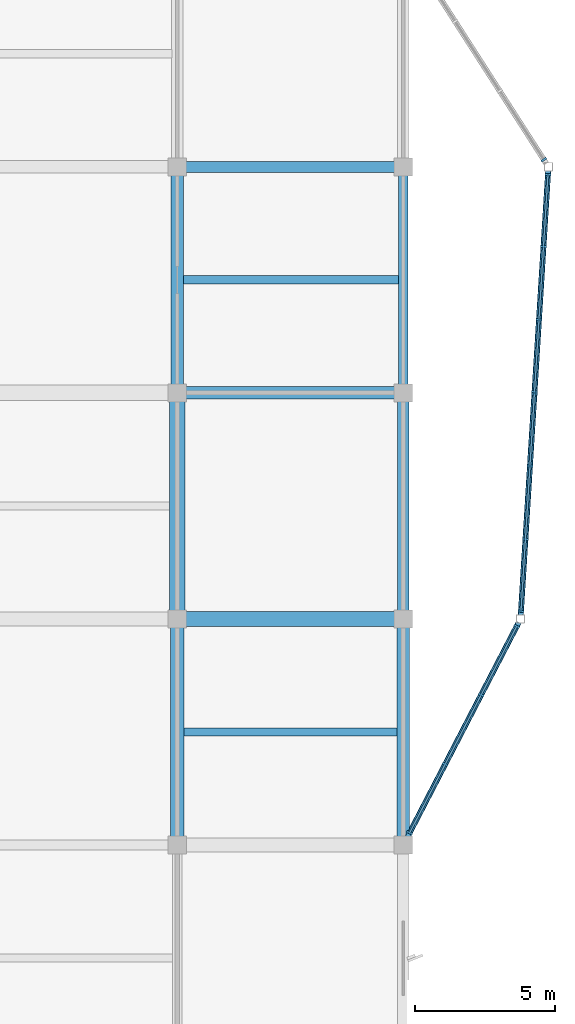
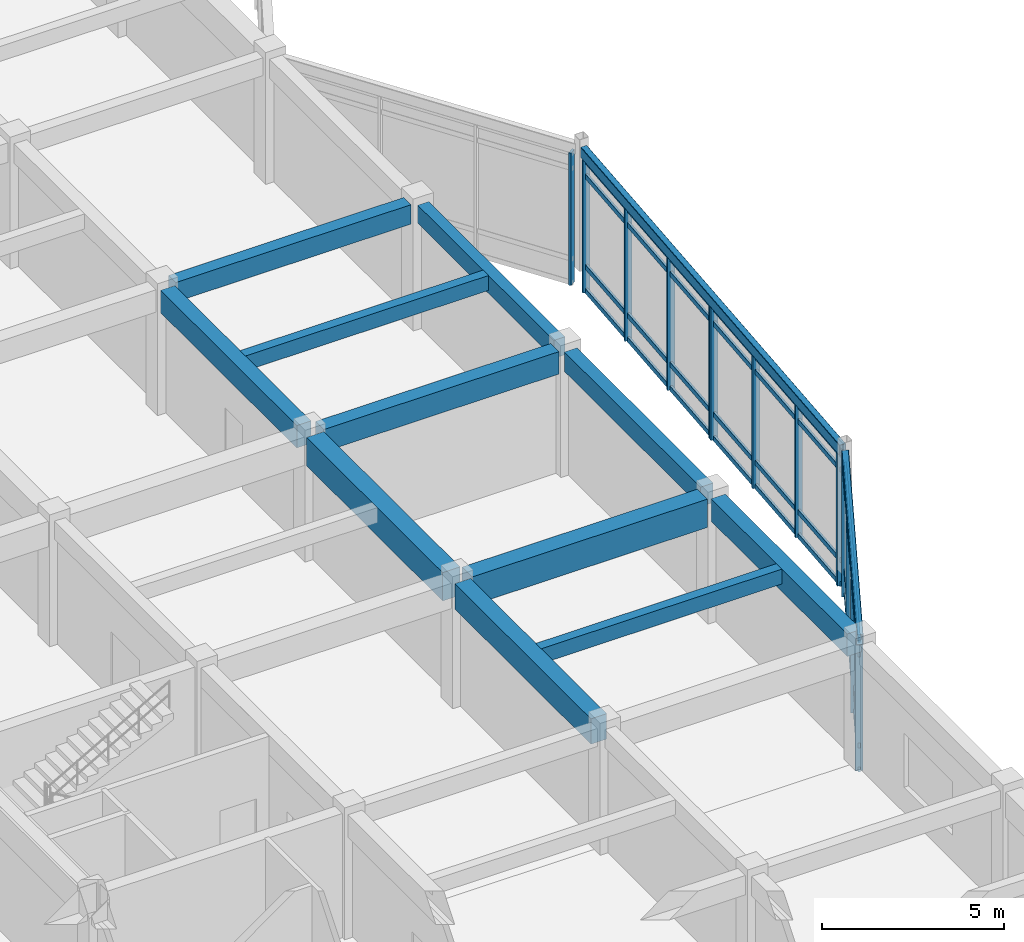
# One storey, part 17 of 42: 25 members, 13 beams, 4 elements without a shape of their own.
"""IFC4 building model written with IfcOpenShell, lengths in metres."""

from ifc_helpers import new_model, si_unit, direction, frame, origin, origin_2d, place, context, subcontext, project, spatial, rectangle, hollow_rectangle, extrude, material, layer, layer_set, material_profile, profile_set, type_object, element, aggregate, save


model = new_model("IFC4")

# Units and contexts
model_context = context("Model", 3, precision=1e-05, world=origin(), true_north=direction((0.0, 1.0)))
body_context = subcontext(model_context, "Body", "Model", "MODEL_VIEW")
ifc_project = project(units=[si_unit("LENGTHUNIT", "METRE"), si_unit("AREAUNIT", "SQUARE_METRE"), si_unit("VOLUMEUNIT", "CUBIC_METRE"), si_unit("PLANEANGLEUNIT", "RADIAN"), si_unit("MASSUNIT", "GRAM", prefix="KILO")], contexts=[model_context])

# Site, building, storey
site_placement = place(None, origin())
site = spatial("IfcSite", under=ifc_project, at=site_placement, CompositionType="ELEMENT")
building_placement = place(site_placement, origin())
building = spatial("IfcBuilding", under=site, at=building_placement, Name="Vaudrelin Polytechnic", CompositionType="ELEMENT")
storey_placement = place(building_placement, frame((0.0, 0.0, 18.530029296875)))
storey = spatial("IfcBuildingStorey", under=building, at=storey_placement, Name="L04", CompositionType="ELEMENT", Elevation=18.530029296875)

# Beams
ifc_material_1 = material(Name="Concrete 40 MPa", Category="concrete")
ifc_material_profile_1 = material_profile(ifc_material_1, rectangle(XDim=0.35009765625, YDim=0.60009765625, at=origin_2d()), Name="RC350x600")
ifc_profile_set_1 = profile_set([ifc_material_profile_1], Name="Concrete 40 MPa")
beam_type_1 = type_object("IfcBeamType", Name="BM-BM-RC3560", PredefinedType="BEAM", material=ifc_profile_set_1)
beam_1_placement = place(storey_placement, frame((170.10009765625, 81.31005859375, 3.85986328125), z_axis=(0.0, 1.0, 0.0), x_axis=(-1.0, 0.0, 0.0)))
element("IfcBeam", 1, at=beam_1_placement, inside=storey, type_object=beam_type_1, Name="L04 Y-beam 22-11", PredefinedType="BEAM", context=body_context, shape_type="SweptSolid", body=[
    extrude(rectangle(XDim=0.35009765625, YDim=0.60009765625, at=origin_2d()), origin(), (0.0, 0.0, 1.0), 7.47998046875),
])
ifc_material_profile_2 = material_profile(ifc_material_1, rectangle(XDim=0.39990234375, YDim=0.64990234375, at=origin_2d()), Name="RC400x650")
ifc_profile_set_2 = profile_set([ifc_material_profile_2], Name="Concrete 40 MPa")
beam_type_2 = type_object("IfcBeamType", Name="BM-BM-RC4065", PredefinedType="BEAM", material=ifc_profile_set_2)
beam_2_placement = place(storey_placement, frame((170.10009765625, 73.2099609375, 3.8349609375), z_axis=(0.0, 1.0, 0.0), x_axis=(-1.0, 0.0, 0.0)))
element("IfcBeam", 2, at=beam_2_placement, inside=storey, type_object=beam_type_2, Name="L04 Y-beam 22-10", PredefinedType="BEAM", context=body_context, shape_type="SweptSolid", body=[
    extrude(rectangle(XDim=0.39990234375, YDim=0.64990234375, at=origin_2d()), origin(), (0.0, 0.0, 1.0), 7.47998046875),
])
beam_3_placement = place(storey_placement, frame((162.321044921875, 89.10009765625, 3.8349609375), z_axis=(1.0, 0.0, 0.0), x_axis=(0.0, 1.0, 0.0)))
element("IfcBeam", 3, at=beam_3_placement, inside=storey, type_object=beam_type_2, Name="L04 X-beam 21-12", PredefinedType="BEAM", context=body_context, shape_type="SweptSolid", body=[
    extrude(rectangle(XDim=0.39990234375, YDim=0.64990234375, at=origin_2d()), origin(), (0.0, 0.0, 1.0), 7.4580078125),
])
ifc_material_profile_3 = material_profile(ifc_material_1, rectangle(XDim=0.449951171875, YDim=0.75, at=origin_2d()), Name="RC450x750")
ifc_profile_set_3 = profile_set([ifc_material_profile_3], Name="Concrete 40 MPa")
beam_type_3 = type_object("IfcBeamType", Name="BM-BM-RC4575", PredefinedType="BEAM", material=ifc_profile_set_3)
for number, where, z_axis, x_axis, name in (
    (4, (162.0, 81.31005859375, 3.784912109375), (0.0, 1.0, 0.0), (-1.0, 0.0, 0.0), "L04 Y-beam 21-11"),
    (5, (170.10009765625, 65.110107421875, 3.784912109375), (0.0, 1.0, 0.0), (-1.0, 0.0, 0.0), "L04 Y-beam 22-9"),
):
    element("IfcBeam", number, at=place(storey_placement, frame(where, z_axis=z_axis, x_axis=x_axis)), inside=storey, type_object=beam_type_3, Name=name, PredefinedType="BEAM", context=body_context, shape_type="SweptSolid", body=[
        extrude(rectangle(XDim=0.449951171875, YDim=0.75, at=origin_2d()), origin(), (0.0, 0.0, 1.0), 7.47998046875),
    ])
beam_4_placement = place(storey_placement, frame((162.321044921875, 81.0, 3.784912109375), z_axis=(1.0, 0.0, 0.0), x_axis=(0.0, 1.0, 0.0)))
element("IfcBeam", 6, at=beam_4_placement, inside=storey, type_object=beam_type_3, Name="L04 X-beam 21-11", PredefinedType="BEAM", context=body_context, shape_type="SweptSolid", body=[
    extrude(rectangle(XDim=0.449951171875, YDim=0.75, at=origin_2d()), origin(), (0.0, 0.0, 1.0), 7.4580078125),
])
ifc_material_profile_4 = material_profile(ifc_material_1, rectangle(XDim=0.5, YDim=0.85009765625, at=origin_2d()), Name="RC500x850")
ifc_profile_set_4 = profile_set([ifc_material_profile_4], Name="Concrete 40 MPa")
beam_type_4 = type_object("IfcBeamType", Name="BM-BM-RC5085", PredefinedType="BEAM", material=ifc_profile_set_4)
beam_5_placement = place(storey_placement, frame((162.0, 65.110107421875, 3.73486328125), z_axis=(0.0, 1.0, 0.0), x_axis=(-1.0, 0.0, 0.0)))
element("IfcBeam", 7, at=beam_5_placement, inside=storey, type_object=beam_type_4, Name="L04 Y-beam 21-9", PredefinedType="BEAM", context=body_context, shape_type="SweptSolid", body=[
    extrude(rectangle(XDim=0.5, YDim=0.85009765625, at=origin_2d()), origin(), (0.0, 0.0, 1.0), 7.47998046875),
])
ifc_material_2 = material(Name="Concrete 50 MPa", Category="concrete")
ifc_material_profile_5 = material_profile(ifc_material_2, rectangle(XDim=0.550048828125, YDim=0.949951171875, at=origin_2d()), Name="RC550x950")
ifc_profile_set_5 = profile_set([ifc_material_profile_5], Name="Concrete 50 MPa")
beam_type_5 = type_object("IfcBeamType", Name="BM-BM-RC5595", PredefinedType="BEAM", material=ifc_profile_set_5)
beam_6_placement = place(storey_placement, frame((162.0, 73.2099609375, 3.68505859375), z_axis=(0.0, 1.0, 0.0), x_axis=(-1.0, 0.0, 0.0)))
element("IfcBeam", 8, at=beam_6_placement, inside=storey, type_object=beam_type_5, Name="L04 Y-beam 21-10", PredefinedType="BEAM", context=body_context, shape_type="SweptSolid", body=[
    extrude(rectangle(XDim=0.550048828125, YDim=0.949951171875, at=origin_2d()), origin(), (0.0, 0.0, 1.0), 7.47998046875),
])
beam_7_placement = place(storey_placement, frame((162.321044921875, 72.89990234375, 3.68505859375), z_axis=(1.0, 0.0, 0.0), x_axis=(0.0, 1.0, 0.0)))
element("IfcBeam", 9, at=beam_7_placement, inside=storey, type_object=beam_type_5, Name="L04 X-beam 21-10", PredefinedType="BEAM", context=body_context, shape_type="SweptSolid", body=[
    extrude(rectangle(XDim=0.550048828125, YDim=0.949951171875, at=origin_2d()), origin(), (0.0, 0.0, 1.0), 7.4580078125),
])
ifc_material_profile_6 = material_profile(ifc_material_1, rectangle(XDim=0.300048828125, YDim=0.5, at=origin_2d()), Name="RC300x500")
ifc_profile_set_6 = profile_set([ifc_material_profile_6], Name="Concrete 40 MPa")
beam_type_6 = type_object("IfcBeamType", Name="BM-JS-RC3050", PredefinedType="JOIST", material=ifc_profile_set_6)
beam_8_placement = place(storey_placement, frame((162.24609375, 68.85009765625, 3.909912109375), z_axis=(1.0, 0.0, 0.0), x_axis=(0.0, 1.0, 0.0)))
element("IfcBeam", 10, at=beam_8_placement, inside=storey, type_object=beam_type_6, Name="L04 floor joist 21-9", PredefinedType="JOIST", context=body_context, shape_type="SweptSolid", body=[
    extrude(rectangle(XDim=0.300048828125, YDim=0.5, at=origin_2d()), origin(), (0.0, 0.0, 1.0), 7.6328125),
])
beam_9_placement = place(storey_placement, frame((162.220947265625, 85.050048828125, 3.909912109375), z_axis=(1.0, 0.0, 0.0), x_axis=(0.0, 1.0, 0.0)))
element("IfcBeam", 11, at=beam_9_placement, inside=storey, type_object=beam_type_6, Name="L04 floor joist 21-11", PredefinedType="JOIST", context=body_context, shape_type="SweptSolid", body=[
    extrude(rectangle(XDim=0.300048828125, YDim=0.5, at=origin_2d()), origin(), (0.0, 0.0, 1.0), 7.7080078125),
])
ifc_material_3 = material(Name="Steel CSA G40.21 350WT", Category="steel")
ifc_material_profile_7 = material_profile(ifc_material_3, hollow_rectangle(XDim=0.202880859375, YDim=0.35595703125, WallThickness=0.0126953125, InnerFilletRadius=0.0126953125, OuterFilletRadius=0.025390625, at=origin_2d()), Name="HSS356x203x12.7")
ifc_profile_set_7 = profile_set([ifc_material_profile_7], Name="Steel CSA G40.21 350WT")
beam_type_7 = type_object("IfcBeamType", Name="BM-SP-HSS35", PredefinedType="SPANDREL", material=ifc_profile_set_7)
beam_10_placement = place(storey_placement, frame((170.164306640625, 64.92431640625, 3.98193359375), z_axis=(0.460338114153, 0.887743668329, 0.0), x_axis=(-0.887743668329, 0.460338114153, 0.0)))
element("IfcBeam", 12, at=beam_10_placement, inside=storey, type_object=beam_type_7, Name="Sculptural edge beam L04 E_OR2_B1", PredefinedType="SPANDREL", context=body_context, shape_type="SweptSolid", body=[
    extrude(hollow_rectangle(XDim=0.202880859375, YDim=0.35595703125, WallThickness=0.0126953125, InnerFilletRadius=0.0126953125, OuterFilletRadius=0.025390625, at=origin_2d()), origin(), (0.0, 0.0, 1.0), 8.84423828125),
])
beam_11_placement = place(storey_placement, frame((174.30859375, 73.039794921875, 3.98193359375), z_axis=(0.061621667017, 0.998099579278, 0.0), x_axis=(-0.998099579278, 0.061621667017, 0.0)))
element("IfcBeam", 13, at=beam_11_placement, inside=storey, type_object=beam_type_7, Name="Sculptural edge beam L04 E_OR2_B2", PredefinedType="SPANDREL", context=body_context, shape_type="SweptSolid", body=[
    extrude(hollow_rectangle(XDim=0.202880859375, YDim=0.35595703125, WallThickness=0.0126953125, InnerFilletRadius=0.0126953125, OuterFilletRadius=0.025390625, at=origin_2d()), origin(), (0.0, 0.0, 1.0), 15.95068359375),
])

# Curtain wall, members
ifc_material_4 = material(Name="Thermally broken anodised aluminium AA 6063-T6 and low-e triple glazing", Category="aluminium")
ifc_layer = layer(ifc_material_4, 0.199951171875)
ifc_layer_set = layer_set([ifc_layer], Name="Thermally broken anodised aluminium AA 6063-T6 and low-e triple glazing")
curtain_wall_type = type_object("IfcCurtainWallType", Name="CW-CW-LAB", PredefinedType="USERDEFINED", material=ifc_layer_set)
curtain_wall_1_placement = place(storey_placement, origin())
curtain_wall_1 = element("IfcCurtainWall", 14, at=curtain_wall_1_placement, inside=storey, type_object=curtain_wall_type, Name="Curtain wall L04 E_OR2_1_0", ObjectType="CURTAIN WALL", PredefinedType="USERDEFINED")
ifc_material_5 = material(Name="Anodised aluminium AA 6063-T6", Category="aluminium")
ifc_material_profile_8 = material_profile(ifc_material_5, rectangle(XDim=0.074951171875, YDim=0.219970703125, at=origin_2d()), Name="CWM-75x220")
ifc_profile_set_8 = profile_set([ifc_material_profile_8], Name="Anodised aluminium AA 6063-T6")
member_type_1 = type_object("IfcMemberType", Name="MEM-CWM-220", PredefinedType="MULLION", material=ifc_profile_set_8)
member_1_placement = place(storey_placement, frame((170.325927734375, 65.236083984375, -0.630126953125), z_axis=(0.0, 0.0, 1.0), x_axis=(0.460325488129, 0.88775021542, 0.0)))
member_1 = element("IfcMember", 15, at=member_1_placement, type_object=member_type_1, Name="E_OR2_1_0 mullion 1", PredefinedType="MULLION", context=body_context, shape_type="SweptSolid", body=[
    extrude(rectangle(XDim=0.074951171875, YDim=0.219970703125, at=origin_2d()), origin(), (0.0, 0.0, 1.0), 4.440185546875),
])
member_2_placement = place(storey_placement, frame((171.59912109375, 67.69091796875, -0.630126953125), z_axis=(0.0, 0.0, 1.0), x_axis=(0.460325488129, 0.88775021542, 0.0)))
member_2 = element("IfcMember", 16, at=member_2_placement, type_object=member_type_1, Name="E_OR2_1_0 mullion 2", PredefinedType="MULLION", context=body_context, shape_type="SweptSolid", body=[
    extrude(rectangle(XDim=0.074951171875, YDim=0.219970703125, at=origin_2d()), origin(), (0.0, 0.0, 1.0), 4.440185546875),
])
member_3_placement = place(storey_placement, frame((172.890380859375, 70.181396484375, -0.630126953125), z_axis=(0.0, 0.0, 1.0), x_axis=(0.460325488129, 0.88775021542, 0.0)))
member_3 = element("IfcMember", 17, at=member_3_placement, type_object=member_type_1, Name="E_OR2_1_0 mullion 3", PredefinedType="MULLION", context=body_context, shape_type="SweptSolid", body=[
    extrude(rectangle(XDim=0.074951171875, YDim=0.219970703125, at=origin_2d()), origin(), (0.0, 0.0, 1.0), 4.440185546875),
])
member_4_placement = place(storey_placement, frame((174.163330078125, 72.636474609375, -0.630126953125), z_axis=(0.0, 0.0, 1.0), x_axis=(0.460325488129, 0.88775021542, 0.0)))
member_4 = element("IfcMember", 18, at=member_4_placement, type_object=member_type_1, Name="E_OR2_1_0 mullion 4", PredefinedType="MULLION", context=body_context, shape_type="SweptSolid", body=[
    extrude(rectangle(XDim=0.074951171875, YDim=0.219970703125, at=origin_2d()), origin(), (0.0, 0.0, 1.0), 4.440185546875),
])

curtain_wall_2_placement = place(storey_placement, origin())
curtain_wall_2 = element("IfcCurtainWall", 19, at=curtain_wall_2_placement, inside=storey, type_object=curtain_wall_type, Name="Curtain wall L04 E_OR2_2_0", ObjectType="CURTAIN WALL", PredefinedType="USERDEFINED")
member_5_placement = place(storey_placement, frame((174.317138671875, 73.17724609375, -0.630126953125), z_axis=(0.0, 0.0, 1.0), x_axis=(0.061604568165, 0.998100634797, 0.0)))
member_5 = element("IfcMember", 20, at=member_5_placement, type_object=member_type_1, Name="E_OR2_2_0 mullion 1", PredefinedType="MULLION", context=body_context, shape_type="SweptSolid", body=[
    extrude(rectangle(XDim=0.074951171875, YDim=0.219970703125, at=origin_2d()), origin(), (0.0, 0.0, 1.0), 4.440185546875),
])
member_6_placement = place(storey_placement, frame((174.4765625, 75.75830078125, -0.630126953125), z_axis=(0.0, 0.0, 1.0), x_axis=(0.061604568165, 0.998100634797, 0.0)))
member_6 = element("IfcMember", 21, at=member_6_placement, type_object=member_type_1, Name="E_OR2_2_0 mullion 2", PredefinedType="MULLION", context=body_context, shape_type="SweptSolid", body=[
    extrude(rectangle(XDim=0.074951171875, YDim=0.219970703125, at=origin_2d()), origin(), (0.0, 0.0, 1.0), 4.440185546875),
])
member_7_placement = place(storey_placement, frame((174.63818359375, 78.379150390625, -0.630126953125), z_axis=(0.0, 0.0, 1.0), x_axis=(0.061604568165, 0.998100634797, 0.0)))
member_7 = element("IfcMember", 22, at=member_7_placement, type_object=member_type_1, Name="E_OR2_2_0 mullion 3", PredefinedType="MULLION", context=body_context, shape_type="SweptSolid", body=[
    extrude(rectangle(XDim=0.074951171875, YDim=0.219970703125, at=origin_2d()), origin(), (0.0, 0.0, 1.0), 4.440185546875),
])
member_8_placement = place(storey_placement, frame((174.797607421875, 80.960205078125, -0.630126953125), z_axis=(0.0, 0.0, 1.0), x_axis=(0.061604568165, 0.998100634797, 0.0)))
member_8 = element("IfcMember", 23, at=member_8_placement, type_object=member_type_1, Name="E_OR2_2_0 mullion 4", PredefinedType="MULLION", context=body_context, shape_type="SweptSolid", body=[
    extrude(rectangle(XDim=0.074951171875, YDim=0.219970703125, at=origin_2d()), origin(), (0.0, 0.0, 1.0), 4.440185546875),
])

curtain_wall_3_placement = place(storey_placement, origin())
curtain_wall_3 = element("IfcCurtainWall", 24, at=curtain_wall_3_placement, inside=storey, type_object=curtain_wall_type, Name="Curtain wall L04 E_OR2_2_1", ObjectType="CURTAIN WALL", PredefinedType="USERDEFINED")
member_9_placement = place(storey_placement, frame((174.802490234375, 81.039794921875, -0.630126953125), z_axis=(0.0, 0.0, 1.0), x_axis=(0.061604568165, 0.998100634797, 0.0)))
member_9 = element("IfcMember", 25, at=member_9_placement, type_object=member_type_1, Name="E_OR2_2_1 mullion 1", PredefinedType="MULLION", context=body_context, shape_type="SweptSolid", body=[
    extrude(rectangle(XDim=0.074951171875, YDim=0.219970703125, at=origin_2d()), origin(), (0.0, 0.0, 1.0), 4.440185546875),
])
member_10_placement = place(storey_placement, frame((174.9619140625, 83.620849609375, -0.630126953125), z_axis=(0.0, 0.0, 1.0), x_axis=(0.061604568165, 0.998100634797, 0.0)))
member_10 = element("IfcMember", 26, at=member_10_placement, type_object=member_type_1, Name="E_OR2_2_1 mullion 2", PredefinedType="MULLION", context=body_context, shape_type="SweptSolid", body=[
    extrude(rectangle(XDim=0.074951171875, YDim=0.219970703125, at=origin_2d()), origin(), (0.0, 0.0, 1.0), 4.440185546875),
])
member_11_placement = place(storey_placement, frame((175.12353515625, 86.24169921875, -0.630126953125), z_axis=(0.0, 0.0, 1.0), x_axis=(0.061604568165, 0.998100634797, 0.0)))
member_11 = element("IfcMember", 27, at=member_11_placement, type_object=member_type_1, Name="E_OR2_2_1 mullion 3", PredefinedType="MULLION", context=body_context, shape_type="SweptSolid", body=[
    extrude(rectangle(XDim=0.074951171875, YDim=0.219970703125, at=origin_2d()), origin(), (0.0, 0.0, 1.0), 4.440185546875),
])
member_12_placement = place(storey_placement, frame((175.28271484375, 88.82275390625, -0.630126953125), z_axis=(0.0, 0.0, 1.0), x_axis=(0.061604568165, 0.998100634797, 0.0)))
member_12 = element("IfcMember", 28, at=member_12_placement, type_object=member_type_1, Name="E_OR2_2_1 mullion 4", PredefinedType="MULLION", context=body_context, shape_type="SweptSolid", body=[
    extrude(rectangle(XDim=0.074951171875, YDim=0.219970703125, at=origin_2d()), origin(), (0.0, 0.0, 1.0), 4.440185546875),
])

# Curtain wall, member
curtain_wall_4_placement = place(storey_placement, origin())
curtain_wall_4 = element("IfcCurtainWall", 29, at=curtain_wall_4_placement, inside=storey, type_object=curtain_wall_type, Name="Curtain wall L04 E_OR2_3_0", ObjectType="CURTAIN WALL", PredefinedType="USERDEFINED")
member_13_placement = place(storey_placement, frame((175.134521484375, 89.357666015625, -0.630126953125), z_axis=(0.0, 0.0, 1.0), x_axis=(-0.540228077901, 0.841518641414, 0.0)))
member_13 = element("IfcMember", 30, at=member_13_placement, type_object=member_type_1, Name="E_OR2_3_0 mullion 1", PredefinedType="MULLION", context=body_context, shape_type="SweptSolid", body=[
    extrude(rectangle(XDim=0.074951171875, YDim=0.219970703125, at=origin_2d()), origin(), (0.0, 0.0, 1.0), 4.440185546875),
])
aggregate(curtain_wall_4, [member_13])

# Member
ifc_material_profile_9 = material_profile(ifc_material_5, rectangle(XDim=0.074951171875, YDim=0.1650390625, at=origin_2d()), Name="CWT-75x165")
ifc_profile_set_9 = profile_set([ifc_material_profile_9], Name="Anodised aluminium AA 6063-T6")
member_type_2 = type_object("IfcMemberType", Name="MEM-CWT-165", PredefinedType="USERDEFINED", material=ifc_profile_set_9)
member_14_placement = place(storey_placement, frame((170.3076171875, 65.200439453125, -0.580078125), z_axis=(0.460323091422, 0.887751458182, 0.0), x_axis=(-0.887751458182, 0.460323091422, 0.0)))
member_14 = element("IfcMember", 31, at=member_14_placement, type_object=member_type_2, Name="E_OR2_1_0 transom 1", ObjectType="TRANSOM", PredefinedType="USERDEFINED", context=body_context, shape_type="SweptSolid", body=[
    extrude(rectangle(XDim=0.074951171875, YDim=0.1650390625, at=origin_2d()), origin(), (0.0, 0.0, 1.0), 8.41650390625),
])

member_15_placement = place(storey_placement, frame((170.3076171875, 65.200439453125, 0.219970703125), z_axis=(0.460323091422, 0.887751458182, 0.0), x_axis=(-0.887751458182, 0.460323091422, 0.0)))
member_15 = element("IfcMember", 32, at=member_15_placement, type_object=member_type_2, Name="E_OR2_1_0 transom 2", ObjectType="TRANSOM", PredefinedType="USERDEFINED", context=body_context, shape_type="SweptSolid", body=[
    extrude(rectangle(XDim=0.074951171875, YDim=0.1650390625, at=origin_2d()), origin(), (0.0, 0.0, 1.0), 8.41650390625),
])

member_16_placement = place(storey_placement, frame((170.3076171875, 65.200439453125, 3.260009765625), z_axis=(0.460323091422, 0.887751458182, 0.0), x_axis=(-0.887751458182, 0.460323091422, 0.0)))
member_16 = element("IfcMember", 33, at=member_16_placement, type_object=member_type_2, Name="E_OR2_1_0 transom 3", ObjectType="TRANSOM", PredefinedType="USERDEFINED", context=body_context, shape_type="SweptSolid", body=[
    extrude(rectangle(XDim=0.074951171875, YDim=0.1650390625, at=origin_2d()), origin(), (0.0, 0.0, 1.0), 8.41650390625),
])

member_17_placement = place(storey_placement, frame((170.3076171875, 65.200439453125, 3.760009765625), z_axis=(0.460323091422, 0.887751458182, 0.0), x_axis=(-0.887751458182, 0.460323091422, 0.0)))
member_17 = element("IfcMember", 34, at=member_17_placement, type_object=member_type_2, Name="E_OR2_1_0 transom 4", ObjectType="TRANSOM", PredefinedType="USERDEFINED", context=body_context, shape_type="SweptSolid", body=[
    extrude(rectangle(XDim=0.074951171875, YDim=0.1650390625, at=origin_2d()), origin(), (0.0, 0.0, 1.0), 8.41650390625),
])

aggregate(curtain_wall_1, [member_1, member_2, member_3, member_4, member_14, member_15, member_16, member_17])

member_18_placement = place(storey_placement, frame((174.314697265625, 73.13720703125, -0.580078125), z_axis=(0.061610363004, 0.998100277112, 0.0), x_axis=(-0.998100277112, 0.061610363004, 0.0)))
member_18 = element("IfcMember", 35, at=member_18_placement, type_object=member_type_2, Name="E_OR2_2_0 transom 1", ObjectType="TRANSOM", PredefinedType="USERDEFINED", context=body_context, shape_type="SweptSolid", body=[
    extrude(rectangle(XDim=0.074951171875, YDim=0.1650390625, at=origin_2d()), origin(), (0.0, 0.0, 1.0), 7.877685546875),
])

member_19_placement = place(storey_placement, frame((174.314697265625, 73.13720703125, 0.219970703125), z_axis=(0.061610363004, 0.998100277112, 0.0), x_axis=(-0.998100277112, 0.061610363004, 0.0)))
member_19 = element("IfcMember", 36, at=member_19_placement, type_object=member_type_2, Name="E_OR2_2_0 transom 2", ObjectType="TRANSOM", PredefinedType="USERDEFINED", context=body_context, shape_type="SweptSolid", body=[
    extrude(rectangle(XDim=0.074951171875, YDim=0.1650390625, at=origin_2d()), origin(), (0.0, 0.0, 1.0), 7.877685546875),
])

member_20_placement = place(storey_placement, frame((174.314697265625, 73.13720703125, 3.260009765625), z_axis=(0.061610363004, 0.998100277112, 0.0), x_axis=(-0.998100277112, 0.061610363004, 0.0)))
member_20 = element("IfcMember", 37, at=member_20_placement, type_object=member_type_2, Name="E_OR2_2_0 transom 3", ObjectType="TRANSOM", PredefinedType="USERDEFINED", context=body_context, shape_type="SweptSolid", body=[
    extrude(rectangle(XDim=0.074951171875, YDim=0.1650390625, at=origin_2d()), origin(), (0.0, 0.0, 1.0), 7.877685546875),
])

member_21_placement = place(storey_placement, frame((174.314697265625, 73.13720703125, 3.760009765625), z_axis=(0.061610363004, 0.998100277112, 0.0), x_axis=(-0.998100277112, 0.061610363004, 0.0)))
member_21 = element("IfcMember", 38, at=member_21_placement, type_object=member_type_2, Name="E_OR2_2_0 transom 4", ObjectType="TRANSOM", PredefinedType="USERDEFINED", context=body_context, shape_type="SweptSolid", body=[
    extrude(rectangle(XDim=0.074951171875, YDim=0.1650390625, at=origin_2d()), origin(), (0.0, 0.0, 1.0), 7.877685546875),
])

aggregate(curtain_wall_2, [member_5, member_6, member_7, member_8, member_18, member_19, member_20, member_21])

member_22_placement = place(storey_placement, frame((174.800048828125, 81.0, -0.580078125), z_axis=(0.061610363004, 0.998100277112, 0.0), x_axis=(-0.998100277112, 0.061610363004, 0.0)))
member_22 = element("IfcMember", 39, at=member_22_placement, type_object=member_type_2, Name="E_OR2_2_1 transom 1", ObjectType="TRANSOM", PredefinedType="USERDEFINED", context=body_context, shape_type="SweptSolid", body=[
    extrude(rectangle(XDim=0.074951171875, YDim=0.1650390625, at=origin_2d()), origin(), (0.0, 0.0, 1.0), 7.877685546875),
])

member_23_placement = place(storey_placement, frame((174.800048828125, 81.0, 0.219970703125), z_axis=(0.061610363004, 0.998100277112, 0.0), x_axis=(-0.998100277112, 0.061610363004, 0.0)))
member_23 = element("IfcMember", 40, at=member_23_placement, type_object=member_type_2, Name="E_OR2_2_1 transom 2", ObjectType="TRANSOM", PredefinedType="USERDEFINED", context=body_context, shape_type="SweptSolid", body=[
    extrude(rectangle(XDim=0.074951171875, YDim=0.1650390625, at=origin_2d()), origin(), (0.0, 0.0, 1.0), 7.877685546875),
])

member_24_placement = place(storey_placement, frame((174.800048828125, 81.0, 3.260009765625), z_axis=(0.061610363004, 0.998100277112, 0.0), x_axis=(-0.998100277112, 0.061610363004, 0.0)))
member_24 = element("IfcMember", 41, at=member_24_placement, type_object=member_type_2, Name="E_OR2_2_1 transom 3", ObjectType="TRANSOM", PredefinedType="USERDEFINED", context=body_context, shape_type="SweptSolid", body=[
    extrude(rectangle(XDim=0.074951171875, YDim=0.1650390625, at=origin_2d()), origin(), (0.0, 0.0, 1.0), 7.877685546875),
])

member_25_placement = place(storey_placement, frame((174.800048828125, 81.0, 3.760009765625), z_axis=(0.061610363004, 0.998100277112, 0.0), x_axis=(-0.998100277112, 0.061610363004, 0.0)))
member_25 = element("IfcMember", 42, at=member_25_placement, type_object=member_type_2, Name="E_OR2_2_1 transom 4", ObjectType="TRANSOM", PredefinedType="USERDEFINED", context=body_context, shape_type="SweptSolid", body=[
    extrude(rectangle(XDim=0.074951171875, YDim=0.1650390625, at=origin_2d()), origin(), (0.0, 0.0, 1.0), 7.877685546875),
])

aggregate(curtain_wall_3, [member_9, member_10, member_11, member_12, member_22, member_23, member_24, member_25])

save(model, "model.ifc")
